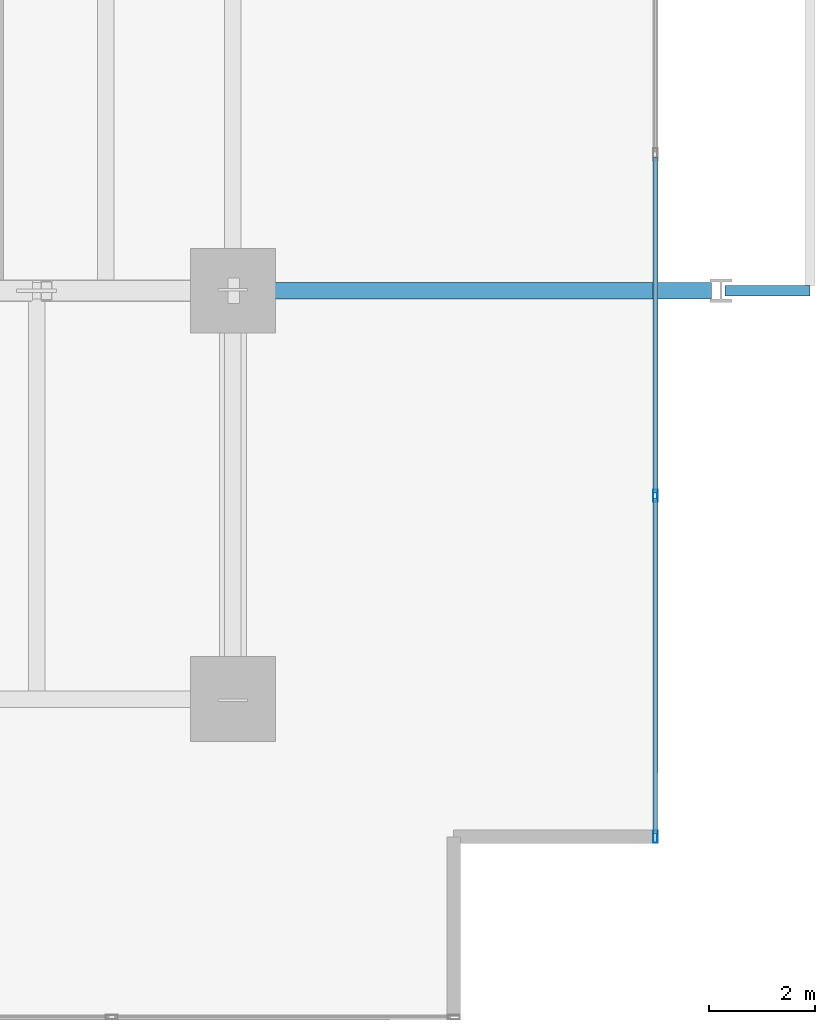
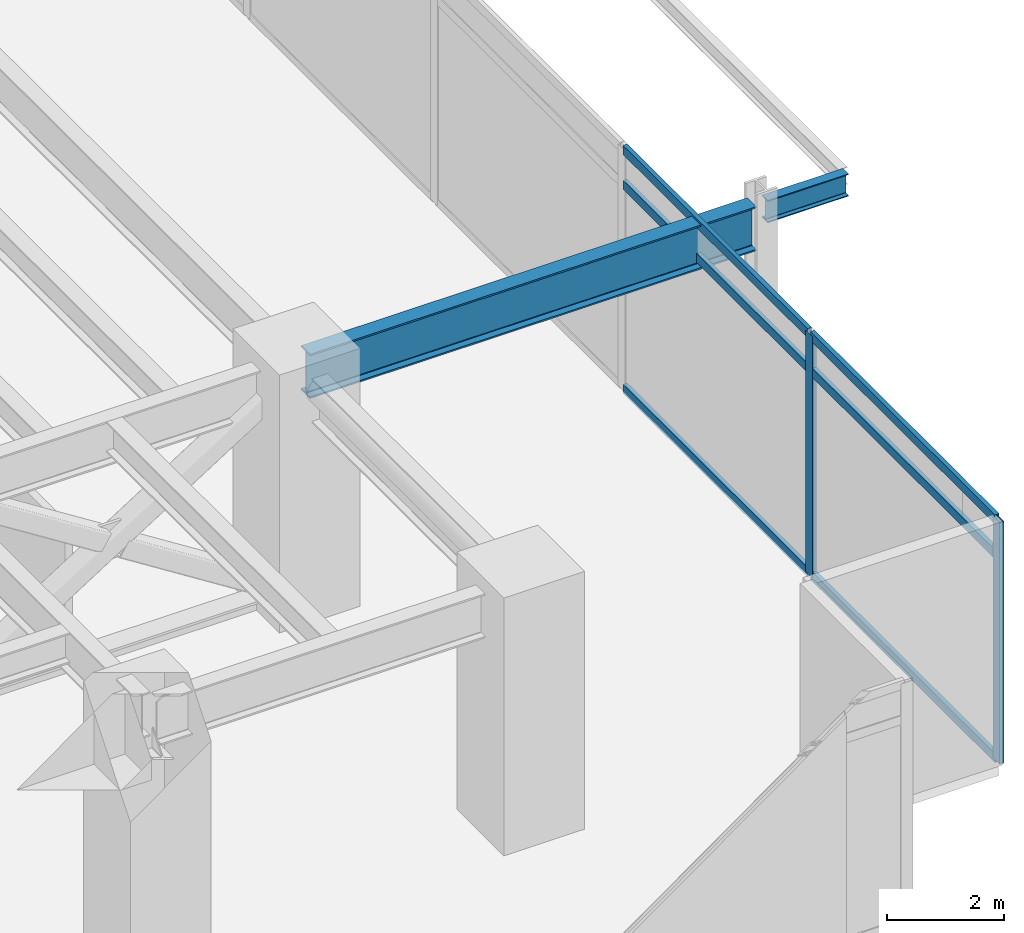
# One storey, part 11 of 26: 8 members, 2 beams, 1 element without a shape of its own.
"""IFC4 building model written with IfcOpenShell, lengths in metres."""

from ifc_helpers import new_model, si_unit, direction, frame, origin, origin_2d, place, context, subcontext, project, spatial, hollow_rectangle, i_section, extrude, material, material_profile, profile_set, type_object, element, aggregate, save


model = new_model("IFC4")

# Units and contexts
model_context = context("Model", 3, precision=1e-05, world=origin(), true_north=direction((0.0, 1.0)))
body_context = subcontext(model_context, "Body", "Model", "MODEL_VIEW")
ifc_project = project(units=[si_unit("LENGTHUNIT", "METRE"), si_unit("AREAUNIT", "SQUARE_METRE"), si_unit("VOLUMEUNIT", "CUBIC_METRE"), si_unit("PLANEANGLEUNIT", "RADIAN"), si_unit("MASSUNIT", "GRAM", prefix="KILO")], contexts=[model_context])

# Site, building, storey
site_placement = place(None, origin())
site = spatial("IfcSite", under=ifc_project, at=site_placement, CompositionType="ELEMENT")
building_placement = place(site_placement, origin())
building = spatial("IfcBuilding", under=site, at=building_placement, Name="Kovane Verandah Tower", CompositionType="ELEMENT")
storey_placement = place(building_placement, frame((0.0, 0.0, 113.0)))
storey = spatial("IfcBuildingStorey", under=building, at=storey_placement, Name="L26", CompositionType="ELEMENT", Elevation=113.0)

# Beam
ifc_material_1 = material(Name="Steel S460", Category="steel")
ifc_material_profile_1 = material_profile(ifc_material_1, i_section(OverallWidth=0.3076171875, OverallDepth=0.926513671875, WebThickness=0.01953125, FlangeThickness=0.031982421875, FilletRadius=0.01904296875, at=origin_2d()), Name="UB914x305x289")
ifc_profile_set_1 = profile_set([ifc_material_profile_1], Name="Steel S460")
beam_type_1 = type_object("IfcBeamType", Name="BM-UB914x289", PredefinedType="BEAM", material=ifc_profile_set_1)
beam_1_placement = place(storey_placement, frame((58.580078125, 18.5, 4.63671875), z_axis=(1.0, 0.0, 0.0), x_axis=(0.0, 1.0, 0.0)))
element("IfcBeam", 1, at=beam_1_placement, inside=storey, type_object=beam_type_1, Name="L26 Primary Tower Girder G-VE1", PredefinedType="BEAM", context=body_context, shape_type="SweptSolid", body=[
    extrude(i_section(OverallWidth=0.3076171875, OverallDepth=0.926513671875, WebThickness=0.01953125, FlangeThickness=0.031982421875, FilletRadius=0.01904296875, at=origin_2d()), origin(), (0.0, 0.0, 1.0), 8.83984375),
])

# Curtain wall, members
ifc_material_2 = material(Name="Champagne Anodised Aluminium Frame with Low-E Clear Laminated Glass", Category="aluminium")
curtain_wall_type = type_object("IfcCurtainWallType", Name="CW-SYS-02-LOW", PredefinedType="NOTDEFINED", material=ifc_material_2)
curtain_wall_placement = place(storey_placement, origin())
curtain_wall = element("IfcCurtainWall", 2, at=curtain_wall_placement, inside=storey, type_object=curtain_wall_type, Name="L26 E Unitised Curtain Wall", PredefinedType="NOTDEFINED")
ifc_material_3 = material(Name="Champagne Anodised Aluminium 6063-T6", Category="aluminium")
ifc_material_profile_2 = material_profile(ifc_material_3, hollow_rectangle(XDim=0.0849609375, YDim=0.22998046875, WallThickness=0.00390625, at=origin_2d()), Name="AL85x230x4")
ifc_profile_set_2 = profile_set([ifc_material_profile_2], Name="Champagne Anodised Aluminium 6063-T6")
member_type_1 = type_object("IfcMemberType", Name="CW-MUL-85x230", PredefinedType="MULLION", material=ifc_profile_set_2)
member_1_placement = place(storey_placement, frame((66.364013671875, 8.205078125, 0.02001953125), z_axis=(0.0, 0.0, 1.0), x_axis=(1.0, 0.0, 0.0)))
member_1 = element("IfcMember", 3, at=member_1_placement, type_object=member_type_1, Name="L26 E Unitised Curtain Wall Mullion 1", PredefinedType="MULLION", context=body_context, shape_type="SweptSolid", body=[
    extrude(hollow_rectangle(XDim=0.0849609375, YDim=0.22998046875, WallThickness=0.00390625, at=origin_2d()), origin(), (0.0, 0.0, 1.0), 5.06005859375),
])
member_2_placement = place(storey_placement, frame((66.364013671875, 14.63671875, 0.02001953125), z_axis=(0.0, 0.0, 1.0), x_axis=(1.0, 0.0, 0.0)))
member_2 = element("IfcMember", 4, at=member_2_placement, type_object=member_type_1, Name="L26 E Unitised Curtain Wall Mullion 2", PredefinedType="MULLION", context=body_context, shape_type="SweptSolid", body=[
    extrude(hollow_rectangle(XDim=0.0849609375, YDim=0.22998046875, WallThickness=0.00390625, at=origin_2d()), origin(), (0.0, 0.0, 1.0), 5.06005859375),
])
ifc_material_profile_3 = material_profile(ifc_material_3, hollow_rectangle(XDim=0.0849609375, YDim=0.18994140625, WallThickness=0.00390625, at=origin_2d()), Name="AL85x190x4")
ifc_profile_set_3 = profile_set([ifc_material_profile_3], Name="Champagne Anodised Aluminium 6063-T6")
member_type_2 = type_object("IfcMemberType", Name="CW-TRN-85x190", PredefinedType="USERDEFINED", material=ifc_profile_set_3)
member_3_placement = place(storey_placement, frame((66.364013671875, 8.255126953125, 0.050048828125), z_axis=(0.0, 1.0, 0.0), x_axis=(-1.0, 0.0, 0.0)))
member_3 = element("IfcMember", 5, at=member_3_placement, type_object=member_type_2, Name="L26 E Unitised Curtain Wall Transom TB Bay 1", ObjectType="TRANSOM", PredefinedType="USERDEFINED", context=body_context, shape_type="SweptSolid", body=[
    extrude(hollow_rectangle(XDim=0.0849609375, YDim=0.18994140625, WallThickness=0.00390625, at=origin_2d()), origin(), (0.0, 0.0, 1.0), 6.33154296875),
])
member_4_placement = place(storey_placement, frame((66.364013671875, 8.255126953125, 4.320068359375), z_axis=(0.0, 1.0, 0.0), x_axis=(-1.0, 0.0, 0.0)))
member_4 = element("IfcMember", 6, at=member_4_placement, type_object=member_type_2, Name="L26 E Unitised Curtain Wall Transom TM Bay 1", ObjectType="TRANSOM", PredefinedType="USERDEFINED", context=body_context, shape_type="SweptSolid", body=[
    extrude(hollow_rectangle(XDim=0.0849609375, YDim=0.18994140625, WallThickness=0.00390625, at=origin_2d()), origin(), (0.0, 0.0, 1.0), 6.33154296875),
])
member_5_placement = place(storey_placement, frame((66.364013671875, 8.255126953125, 5.050048828125), z_axis=(0.0, 1.0, 0.0), x_axis=(-1.0, 0.0, 0.0)))
member_5 = element("IfcMember", 7, at=member_5_placement, type_object=member_type_2, Name="L26 E Unitised Curtain Wall Transom TT Bay 1", ObjectType="TRANSOM", PredefinedType="USERDEFINED", context=body_context, shape_type="SweptSolid", body=[
    extrude(hollow_rectangle(XDim=0.0849609375, YDim=0.18994140625, WallThickness=0.00390625, at=origin_2d()), origin(), (0.0, 0.0, 1.0), 6.33154296875),
])
member_6_placement = place(storey_placement, frame((66.364013671875, 14.686767578125, 0.050048828125), z_axis=(0.0, 1.0, 0.0), x_axis=(-1.0, 0.0, 0.0)))
member_6 = element("IfcMember", 8, at=member_6_placement, type_object=member_type_2, Name="L26 E Unitised Curtain Wall Transom TB Bay 2", ObjectType="TRANSOM", PredefinedType="USERDEFINED", context=body_context, shape_type="SweptSolid", body=[
    extrude(hollow_rectangle(XDim=0.0849609375, YDim=0.18994140625, WallThickness=0.00390625, at=origin_2d()), origin(), (0.0, 0.0, 1.0), 6.33154296875),
])
member_7_placement = place(storey_placement, frame((66.364013671875, 14.686767578125, 4.320068359375), z_axis=(0.0, 1.0, 0.0), x_axis=(-1.0, 0.0, 0.0)))
member_7 = element("IfcMember", 9, at=member_7_placement, type_object=member_type_2, Name="L26 E Unitised Curtain Wall Transom TM Bay 2", ObjectType="TRANSOM", PredefinedType="USERDEFINED", context=body_context, shape_type="SweptSolid", body=[
    extrude(hollow_rectangle(XDim=0.0849609375, YDim=0.18994140625, WallThickness=0.00390625, at=origin_2d()), origin(), (0.0, 0.0, 1.0), 6.33154296875),
])
member_8_placement = place(storey_placement, frame((66.364013671875, 14.686767578125, 5.050048828125), z_axis=(0.0, 1.0, 0.0), x_axis=(-1.0, 0.0, 0.0)))
member_8 = element("IfcMember", 10, at=member_8_placement, type_object=member_type_2, Name="L26 E Unitised Curtain Wall Transom TT Bay 2", ObjectType="TRANSOM", PredefinedType="USERDEFINED", context=body_context, shape_type="SweptSolid", body=[
    extrude(hollow_rectangle(XDim=0.0849609375, YDim=0.18994140625, WallThickness=0.00390625, at=origin_2d()), origin(), (0.0, 0.0, 1.0), 6.33154296875),
])
aggregate(curtain_wall, [member_1, member_2, member_3, member_4, member_5, member_6, member_7, member_8])

# Beam
ifc_material_4 = material(Name="Steel S355", Category="steel")
ifc_material_profile_4 = material_profile(ifc_material_4, i_section(OverallWidth=0.19287109375, OverallDepth=0.46728515625, WebThickness=0.011474609375, FlangeThickness=0.01953125, FilletRadius=0.01025390625, at=origin_2d()), Name="UB457x191x98")
ifc_profile_set_4 = profile_set([ifc_material_profile_4], Name="Steel S355")
beam_type_2 = type_object("IfcBeamType", Name="JST-UB457x98", PredefinedType="JOIST", material=ifc_profile_set_4)
beam_2_placement = place(storey_placement, frame((67.679931640625, 18.5, 4.866455078125), z_axis=(1.0, 0.0, 0.0), x_axis=(0.0, 1.0, 0.0)))
element("IfcBeam", 11, at=beam_2_placement, inside=storey, type_object=beam_type_2, Name="L26 East Planter Girder 1", PredefinedType="JOIST", context=body_context, shape_type="SweptSolid", body=[
    extrude(i_section(OverallWidth=0.19287109375, OverallDepth=0.46728515625, WebThickness=0.011474609375, FlangeThickness=0.01953125, FilletRadius=0.01025390625, at=origin_2d()), origin(), (0.0, 0.0, 1.0), 1.599853515625),
])

save(model, "model.ifc")
